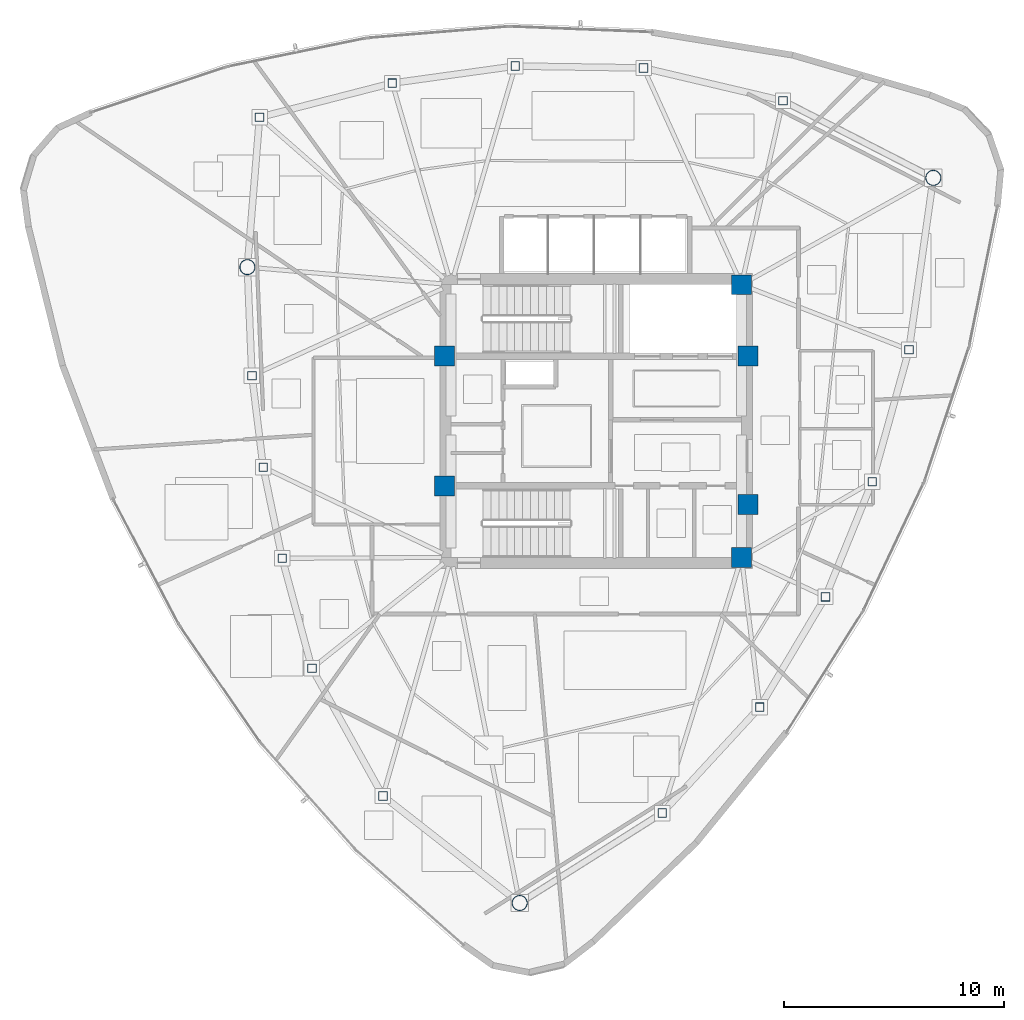
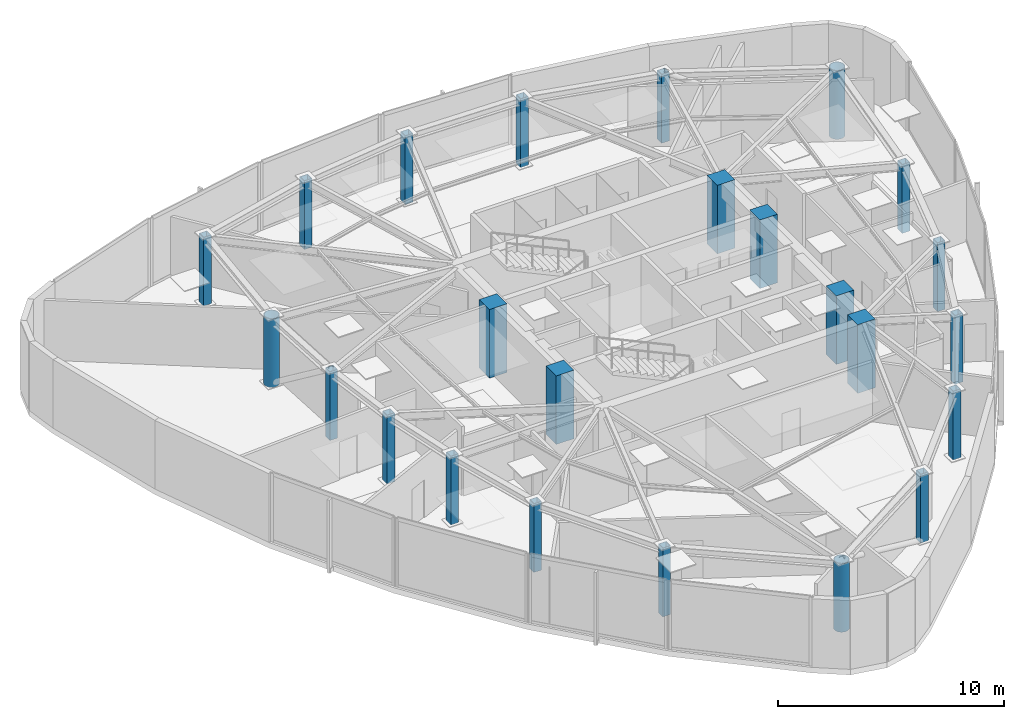
# One storey, part 1 of 13: 24 columns.
"""IFC4 building model written with IfcOpenShell, lengths in metres."""

from ifc_helpers import new_model, si_unit, direction, frame, origin, origin_2d, place, context, subcontext, project, spatial, rectangle, hollow_rectangle, hollow_circle, extrude, material, material_profile, profile_set, type_object, element, save


model = new_model("IFC4")

# Units and contexts
model_context = context("Model", 3, precision=1e-05, world=origin(), true_north=direction((0.0, 1.0)))
body_context = subcontext(model_context, "Body", "Model", "MODEL_VIEW")
ifc_project = project(units=[si_unit("LENGTHUNIT", "METRE"), si_unit("AREAUNIT", "SQUARE_METRE"), si_unit("VOLUMEUNIT", "CUBIC_METRE"), si_unit("PLANEANGLEUNIT", "RADIAN"), si_unit("MASSUNIT", "GRAM", prefix="KILO")], contexts=[model_context])

# Site, building, storey
site_placement = place(None, origin())
site = spatial("IfcSite", under=ifc_project, at=site_placement, CompositionType="ELEMENT")
building_placement = place(site_placement, origin())
building = spatial("IfcBuilding", under=site, at=building_placement, Name="Tavelor Broadcast Tower", CompositionType="ELEMENT")
storey_placement = place(building_placement, frame((0.0, 0.0, 301.5)))
storey = spatial("IfcBuildingStorey", under=building, at=storey_placement, Name="L72", CompositionType="ELEMENT", Elevation=301.5)

# Columns
ifc_material_1 = material(Name="Concrete C50/60", Category="concrete")
ifc_material_profile_1 = material_profile(ifc_material_1, rectangle(XDim=0.89990234375, YDim=0.89990234375, at=origin_2d()), Name="RC 900x900")
ifc_profile_set_1 = profile_set([ifc_material_profile_1], Name="Concrete C50/60")
column_type_1 = type_object("IfcColumnType", Name="Core Embedded Composite Column RC900", PredefinedType="COLUMN", material=ifc_profile_set_1)
for number, where, z_axis, x_axis, name in (
    (1, (43.10009765625, 47.949951171875, 0.0), (0.0, 0.0, 1.0), (1.0, 0.0, 0.0), "L72 Core Embedded Column 1"),
    (2, (56.89990234375, 47.949951171875, 0.0), (0.0, 0.0, 1.0), (1.0, 0.0, 0.0), "L72 Core Embedded Column 2"),
    (3, (56.60009765625, 51.199951171875, 0.0), (0.0, 0.0, 1.0), (1.0, 0.0, 0.0), "L72 Core Embedded Column 3"),
    (4, (43.10009765625, 42.050048828125, 0.0), (0.0, 0.0, 1.0), (1.0, 0.0, 0.0), "L72 Core Embedded Column 4"),
    (5, (56.89990234375, 41.199951171875, 0.0), (0.0, 0.0, 1.0), (1.0, 0.0, 0.0), "L72 Core Embedded Column 5"),
    (6, (56.60009765625, 38.800048828125, 0.0), (0.0, 0.0, 1.0), (1.0, 0.0, 0.0), "L72 Core Embedded Column 6"),
):
    element("IfcColumn", number, at=place(storey_placement, frame(where, z_axis=z_axis, x_axis=x_axis)), inside=storey, type_object=column_type_1, Name=name, PredefinedType="COLUMN", context=body_context, shape_type="SweptSolid", body=[
        extrude(rectangle(XDim=0.89990234375, YDim=0.89990234375, at=origin_2d()), origin(), (0.0, 0.0, 1.0), 3.699951171875),
    ])
ifc_material_2 = material(Name="Steel S460", Category="steel")
ifc_material_profile_2 = material_profile(ifc_material_2, hollow_rectangle(XDim=0.39990234375, YDim=0.39990234375, WallThickness=0.02490234375, at=origin_2d()), Name="SHS 400x400x25")
ifc_profile_set_2 = profile_set([ifc_material_profile_2], Name="Steel S460")
column_type_2 = type_object("IfcColumnType", Name="Perimeter Tube Column T8 SHS 400x400x25", PredefinedType="COLUMN", material=ifc_profile_set_2)
for number, where, z_axis, x_axis, name in (
    (7, (34.341552734375, 47.061279296875, 0.0), (0.0, 0.0, 1.0), (1.0, 0.0, 0.0), "L72 Perimeter Framed-Tube Column 02"),
    (8, (34.85400390625, 42.90185546875, 0.0), (0.0, 0.0, 1.0), (1.0, 0.0, 0.0), "L72 Perimeter Framed-Tube Column 03"),
    (9, (35.716552734375, 38.757080078125, 0.0), (0.0, 0.0, 1.0), (1.0, 0.0, 0.0), "L72 Perimeter Framed-Tube Column 04"),
    (10, (37.068115234375, 33.759521484375, 0.0), (0.0, 0.0, 1.0), (1.0, 0.0, 0.0), "L72 Perimeter Framed-Tube Column 05"),
    (11, (40.29638671875, 27.95361328125, 0.0), (0.0, 0.0, 1.0), (1.0, 0.0, 0.0), "L72 Perimeter Framed-Tube Column 06"),
    (12, (52.992919921875, 27.1767578125, 0.0), (0.0, 0.0, 1.0), (1.0, 0.0, 0.0), "L72 Perimeter Framed-Tube Column 08"),
    (13, (57.431396484375, 31.9921875, 0.0), (0.0, 0.0, 1.0), (1.0, 0.0, 0.0), "L72 Perimeter Framed-Tube Column 09"),
    (14, (60.41748046875, 37.00439453125, 0.0), (0.0, 0.0, 1.0), (1.0, 0.0, 0.0), "L72 Perimeter Framed-Tube Column 10"),
    (15, (62.543701171875, 42.240478515625, 0.0), (0.0, 0.0, 1.0), (1.0, 0.0, 0.0), "L72 Perimeter Framed-Tube Column 11"),
    (16, (64.21435546875, 48.2373046875, 0.0), (0.0, 0.0, 1.0), (1.0, 0.0, 0.0), "L72 Perimeter Framed-Tube Column 12"),
    (17, (58.485595703125, 59.55712890625, 0.0), (0.0, 0.0, 1.0), (1.0, 0.0, 0.0), "L72 Perimeter Framed-Tube Column 14"),
    (18, (52.147216796875, 61.05078125, 0.0), (0.0, 0.0, 1.0), (1.0, 0.0, 0.0), "L72 Perimeter Framed-Tube Column 15"),
    (19, (46.3154296875, 61.13720703125, 0.0), (0.0, 0.0, 1.0), (1.0, 0.0, 0.0), "L72 Perimeter Framed-Tube Column 16"),
    (20, (40.718017578125, 60.36083984375, 0.0), (0.0, 0.0, 1.0), (1.0, 0.0, 0.0), "L72 Perimeter Framed-Tube Column 17"),
    (21, (34.689208984375, 58.80908203125, 0.0), (0.0, 0.0, 1.0), (1.0, 0.0, 0.0), "L72 Perimeter Framed-Tube Column 18"),
):
    element("IfcColumn", number, at=place(storey_placement, frame(where, z_axis=z_axis, x_axis=x_axis)), inside=storey, type_object=column_type_2, Name=name, PredefinedType="COLUMN", context=body_context, shape_type="SweptSolid", body=[
        extrude(hollow_rectangle(XDim=0.39990234375, YDim=0.39990234375, WallThickness=0.02490234375, at=origin_2d()), origin(), (0.0, 0.0, 1.0), 3.699951171875),
    ])
ifc_material_profile_3 = material_profile(ifc_material_2, hollow_circle(Radius=0.35546875, WallThickness=0.031982421875, at=origin_2d()), Name="CHS 711x32")
ifc_profile_set_3 = profile_set([ifc_material_profile_3], Name="Steel S460")
column_type_3 = type_object("IfcColumnType", Name="Tower Mega Column T8 CHS 711x32", PredefinedType="COLUMN", material=ifc_profile_set_3)
for number, where, z_axis, x_axis, name in (
    (22, (34.134765625, 51.995849609375, 0.0), (0.0, 0.0, 1.0), (1.0, 0.0, 0.0), "L72 Tower Corner Mega Column 01"),
    (23, (46.5146484375, 23.08740234375, 0.0), (0.0, 0.0, 1.0), (1.0, 0.0, 0.0), "L72 Tower Corner Mega Column 07"),
    (24, (65.319580078125, 56.0556640625, 0.0), (0.0, 0.0, 1.0), (1.0, 0.0, 0.0), "L72 Tower Corner Mega Column 13"),
):
    element("IfcColumn", number, at=place(storey_placement, frame(where, z_axis=z_axis, x_axis=x_axis)), inside=storey, type_object=column_type_3, Name=name, PredefinedType="COLUMN", context=body_context, shape_type="SweptSolid", body=[
        extrude(hollow_circle(Radius=0.35546875, WallThickness=0.031982421875, at=origin_2d()), origin(), (0.0, 0.0, 1.0), 3.699951171875),
    ])

save(model, "model.ifc")
